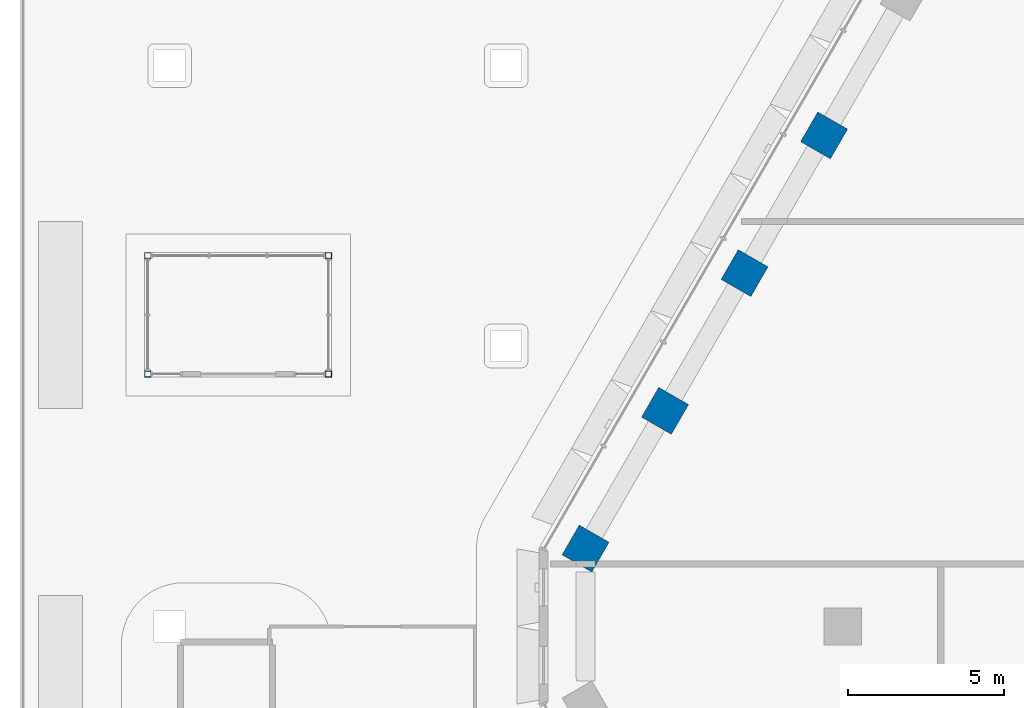
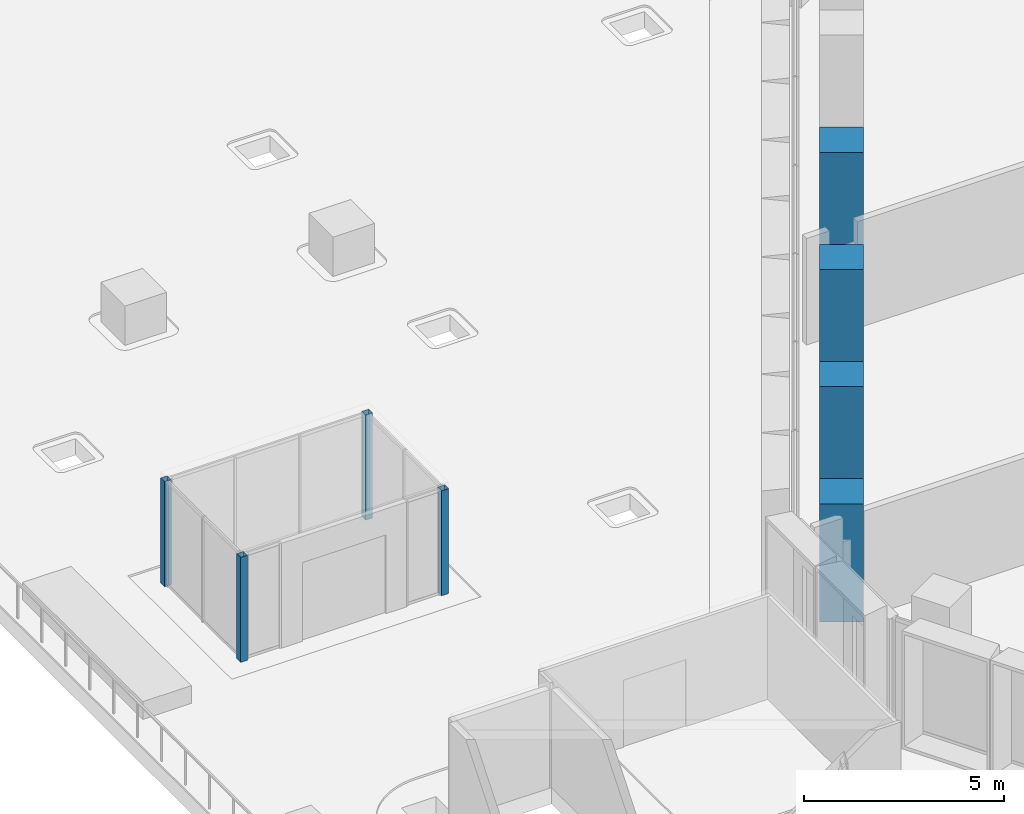
# One storey, part 2 of 38: 8 columns.
"""IFC4 building model written with IfcOpenShell, lengths in metres."""

from ifc_helpers import new_model, si_unit, direction, frame, origin, origin_2d, place, context, subcontext, project, spatial, rectangle, hollow_rectangle, extrude, material, material_profile, profile_set, type_object, element, save


model = new_model("IFC4")

# Units and contexts
model_context = context("Model", 3, precision=1e-05, world=origin(), true_north=direction((0.0, 1.0)))
body_context = subcontext(model_context, "Body", "Model", "MODEL_VIEW")
ifc_project = project(units=[si_unit("LENGTHUNIT", "METRE"), si_unit("AREAUNIT", "SQUARE_METRE"), si_unit("VOLUMEUNIT", "CUBIC_METRE"), si_unit("PLANEANGLEUNIT", "RADIAN"), si_unit("MASSUNIT", "GRAM", prefix="KILO")], contexts=[model_context])

# Site, building, storey
site_placement = place(None, origin())
site = spatial("IfcSite", under=ifc_project, at=site_placement, CompositionType="ELEMENT")
building_placement = place(site_placement, origin())
building = spatial("IfcBuilding", under=site, at=building_placement, Name="Beryl Residences", CompositionType="ELEMENT")
storey_placement = place(building_placement, frame((0.0, 0.0, 9.0)))
storey = spatial("IfcBuildingStorey", under=building, at=storey_placement, Name="L02", CompositionType="ELEMENT", Elevation=9.0)

# Columns
ifc_material_1 = material(Name="Concrete C80/95", Category="concrete")
ifc_material_profile_1 = material_profile(ifc_material_1, rectangle(XDim=1.10009765625, YDim=1.10009765625, at=origin_2d()))
ifc_profile_set_1 = profile_set([ifc_material_profile_1], Name="Concrete C80/95")
column_type_1 = type_object("IfcColumnType", Name="C1 tube column 1100 x 1100 C80/95", PredefinedType="COLUMN", material=ifc_profile_set_1)
for number, where, z_axis, x_axis, name in (
    (1, (-22.194091796875, 15.759033203125, 0.0), (0.0, 0.0, 1.0), (-0.499984884929, -0.866034130299, 0.0), "C1-NW3 L02"),
    (2, (-24.74609375, 11.339111328125, 0.0), (0.0, 0.0, 1.0), (-0.499984884929, -0.866034130299, 0.0), "C1-NW4 L02"),
    (3, (-27.298095703125, 6.9189453125, 0.0), (0.0, 0.0, 1.0), (-0.499984884929, -0.866034130299, 0.0), "C1-NW5 L02"),
    (4, (-29.84912109375, 2.4990234375, 0.0), (0.0, 0.0, 1.0), (-0.499984884929, -0.866034130299, 0.0), "C1-NW6 L02"),
):
    element("IfcColumn", number, at=place(storey_placement, frame(where, z_axis=z_axis, x_axis=x_axis)), inside=storey, type_object=column_type_1, Name=name, PredefinedType="COLUMN", context=body_context, shape_type="SweptSolid", body=[
        extrude(rectangle(XDim=1.10009765625, YDim=1.10009765625, at=origin_2d()), origin(), (0.0, 0.0, 1.0), 3.60009765625),
    ])
ifc_material_2 = material(Name="Steel S355", Category="steel")
ifc_material_profile_2 = material_profile(ifc_material_2, hollow_rectangle(XDim=0.199951171875, YDim=0.199951171875, WallThickness=0.010009765625, at=origin_2d()))
ifc_profile_set_2 = profile_set([ifc_material_profile_2], Name="Steel S355")
column_type_2 = type_object("IfcColumnType", Name="PC1 pavilion column 200 mm", PredefinedType="COLUMN", material=ifc_profile_set_2)
for number, where, z_axis, x_axis, name in (
    (5, (-43.89990234375, 8.10009765625, 0.0), (0.0, 0.0, 1.0), (1.0, 0.0, 0.0), "PC1 pavilion column 1.1"),
    (6, (-43.89990234375, 11.89990234375, 0.0), (0.0, 0.0, 1.0), (1.0, 0.0, 0.0), "PC1 pavilion column 1.2"),
    (7, (-38.10009765625, 8.10009765625, 0.0), (0.0, 0.0, 1.0), (1.0, 0.0, 0.0), "PC1 pavilion column 1.3"),
    (8, (-38.10009765625, 11.89990234375, 0.0), (0.0, 0.0, 1.0), (1.0, 0.0, 0.0), "PC1 pavilion column 1.4"),
):
    element("IfcColumn", number, at=place(storey_placement, frame(where, z_axis=z_axis, x_axis=x_axis)), inside=storey, type_object=column_type_2, Name=name, PredefinedType="COLUMN", context=body_context, shape_type="SweptSolid", body=[
        extrude(hollow_rectangle(XDim=0.199951171875, YDim=0.199951171875, WallThickness=0.010009765625, at=origin_2d()), origin(), (0.0, 0.0, 1.0), 3.199951171875),
    ])

save(model, "model.ifc")
